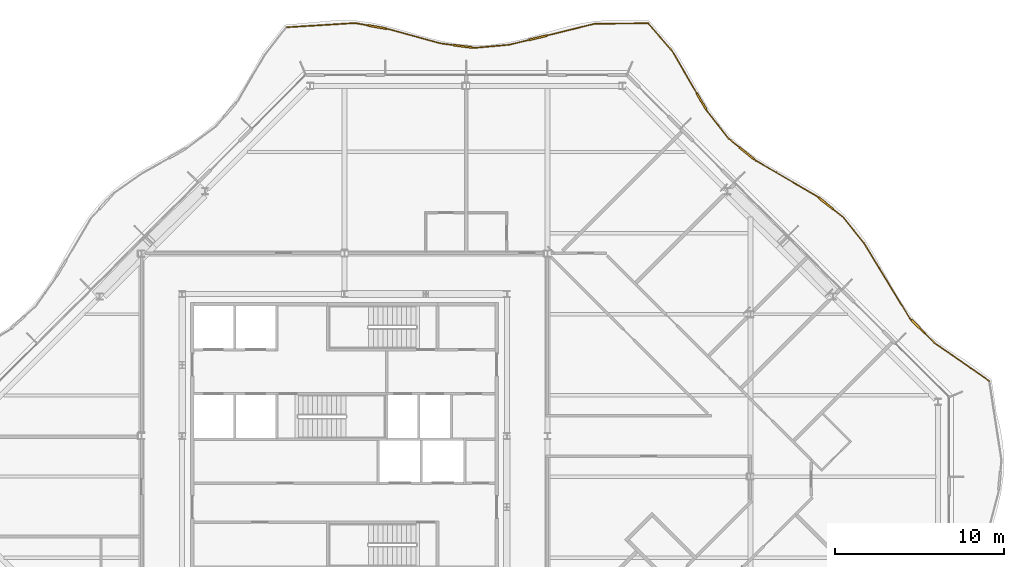
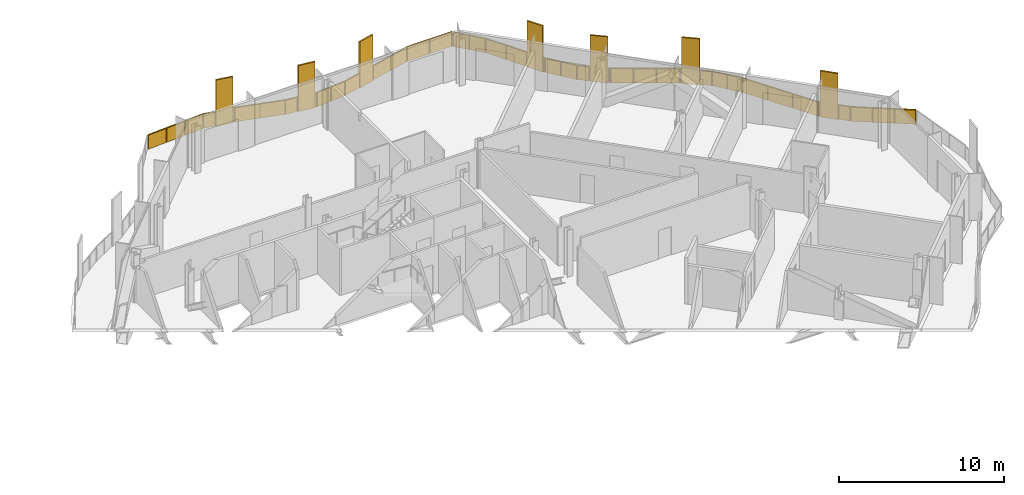
# One storey, part 17 of 17: 2 railings.
"""IFC4 building model written with IfcOpenShell, lengths in metres."""

from ifc_helpers import new_model, si_unit, direction, frame, origin, origin_2d, place, context, subcontext, project, spatial, polyline, rectangle, outline, extrude, material, type_object, element, save


model = new_model("IFC4")

# Units and contexts
model_context = context("Model", 3, precision=1e-05, world=origin(), true_north=direction((0.0, 1.0)))
body_context = subcontext(model_context, "Body", "Model", "MODEL_VIEW")
ifc_project = project(units=[si_unit("LENGTHUNIT", "METRE"), si_unit("AREAUNIT", "SQUARE_METRE"), si_unit("VOLUMEUNIT", "CUBIC_METRE"), si_unit("PLANEANGLEUNIT", "RADIAN"), si_unit("MASSUNIT", "GRAM", prefix="KILO")], contexts=[model_context])

# Site, building, storey
site_placement = place(None, origin())
site = spatial("IfcSite", under=ifc_project, at=site_placement, CompositionType="ELEMENT")
building_placement = place(site_placement, origin())
building = spatial("IfcBuilding", under=site, at=building_placement, Name="Cairn Pilgrim Tower", CompositionType="ELEMENT")
storey_placement = place(building_placement, frame((0.0, 0.0, 250.199951171875)))
storey = spatial("IfcBuildingStorey", under=building, at=storey_placement, Name="L64", CompositionType="ELEMENT", Elevation=250.199951171875)

# Railings
ifc_material = material(Name="Bronze anodised aluminium rail, posts and fin screens with laminated glass infill", Category="aluminium")
railing_type = type_object("IfcRailingType", Name="BALCONY GUARD WITH FIN SCREENS", PredefinedType="GUARDRAIL", material=ifc_material)
railing_1_placement = place(storey_placement, frame((45.325439453125, 5.6513671875, 0.0)))
element("IfcRailing", 1, at=railing_1_placement, inside=storey, type_object=railing_type, Name="Balcony guard BGF-3 with fin screens", PredefinedType="GUARDRAIL", context=body_context, shape_type="SweptSolid", body=[
    extrude(rectangle(XDim=0.050048828125, YDim=0.050048828125, at=origin_2d()), frame((0.0, 0.0, 1.0751953125), z_axis=(-0.820012054011, 0.572346251212, 0.0), x_axis=(-0.572346251212, -0.820012054011, 0.0)), (0.0, 0.0, 1.0), 3.9658203125),
    extrude(rectangle(XDim=1.10009765625, YDim=0.110107421875, at=origin_2d()), frame((-4.203857421875, 3.216552734375, 0.0), z_axis=(0.0, 0.0, 1.0), x_axis=(-0.709016579712, 0.705191810569, 0.0)), (0.0, 0.0, 1.0), 3.39990234375),
    extrude(rectangle(XDim=0.050048828125, YDim=0.050048828125, at=origin_2d()), frame((-3.251953125, 2.269775390625, 1.0751953125), z_axis=(-0.709016579712, 0.705191810569, 0.0), x_axis=(-0.705191810569, -0.709016579712, 0.0)), (0.0, 0.0, 1.0), 0.79248046875),
    extrude(rectangle(XDim=0.050048828125, YDim=0.050048828125, at=origin_2d()), frame((-4.59375, 3.604248046875, 1.0751953125), z_axis=(-0.709016579712, 0.705191810569, 0.0), x_axis=(-0.705191810569, -0.709016579712, 0.0)), (0.0, 0.0, 1.0), 0.150146484375),
    extrude(rectangle(XDim=0.050048828125, YDim=0.050048828125, at=origin_2d()), frame((-4.7001953125, 3.710205078125, 1.0751953125), z_axis=(-0.519273025874, 0.854608404241, 0.0), x_axis=(-0.854608404241, -0.519273025874, 0.0)), (0.0, 0.0, 1.0), 5.184326171875),
    extrude(rectangle(XDim=0.050048828125, YDim=0.050048828125, at=origin_2d()), frame((-7.392333984375, 8.140869140625, 1.0751953125), z_axis=(-0.626944244351, 0.779064127319, 0.0), x_axis=(-0.779064127319, -0.626944244351, 0.0)), (0.0, 0.0, 1.0), 1.99658203125),
    extrude(rectangle(XDim=1.10009765625, YDim=0.110107421875, at=origin_2d()), frame((-9.657470703125, 10.504638671875, 0.0), z_axis=(0.0, 0.0, 1.0), x_axis=(-0.781739062217, 0.62360567557, 0.0)), (0.0, 0.0, 1.0), 3.39990234375),
    extrude(rectangle(XDim=0.050048828125, YDim=0.050048828125, at=origin_2d()), frame((-8.64404296875, 9.6962890625, 1.0751953125), z_axis=(-0.781739062217, 0.62360567557, 0.0), x_axis=(-0.62360567557, -0.781739062217, 0.0)), (0.0, 0.0, 1.0), 0.746337890625),
    extrude(rectangle(XDim=0.050048828125, YDim=0.050048828125, at=origin_2d()), frame((-10.08740234375, 10.84765625, 1.0751953125), z_axis=(-0.781739062217, 0.62360567557, 0.0), x_axis=(-0.62360567557, -0.781739062217, 0.0)), (0.0, 0.0, 1.0), 0.14990234375),
    extrude(rectangle(XDim=0.050048828125, YDim=0.050048828125, at=origin_2d()), frame((-10.20458984375, 10.941162109375, 1.0751953125), z_axis=(-0.864562899529, 0.502524619056, 0.0), x_axis=(-0.502524619056, -0.864562899529, 0.0)), (0.0, 0.0, 1.0), 4.162109375),
    extrude(rectangle(XDim=1.10009765625, YDim=0.110107421875, at=origin_2d()), frame((-14.34619140625, 13.47412109375, 0.0), z_axis=(0.0, 0.0, 1.0), x_axis=(-0.776106715703, 0.630601590421, 0.0)), (0.0, 0.0, 1.0), 3.39990234375),
    extrude(rectangle(XDim=0.050048828125, YDim=0.050048828125, at=origin_2d()), frame((-13.802978515625, 13.03271484375, 1.0751953125), z_axis=(-0.776106715703, 0.630601590421, 0.0), x_axis=(-0.630601590421, -0.776106715703, 0.0)), (0.0, 0.0, 1.0), 0.14990234375),
    extrude(rectangle(XDim=0.050048828125, YDim=0.050048828125, at=origin_2d()), frame((-14.773193359375, 13.821044921875, 1.0751953125), z_axis=(-0.776106715703, 0.630601590421, 0.0), x_axis=(-0.630601590421, -0.776106715703, 0.0)), (0.0, 0.0, 1.0), 0.800537109375),
    extrude(rectangle(XDim=0.050048828125, YDim=0.050048828125, at=origin_2d()), frame((-15.394287109375, 14.32568359375, 1.0751953125), z_axis=(-0.619910394653, 0.784672608545, 0.0), x_axis=(-0.784672608545, -0.619910394653, 0.0)), (0.0, 0.0, 1.0), 2.05224609375),
    extrude(rectangle(XDim=1.10009765625, YDim=0.110107421875, at=origin_2d()), frame((-17.018310546875, 16.541015625, 0.0), z_axis=(0.0, 0.0, 1.0), x_axis=(-0.502651075486, 0.864489384731, 0.0)), (0.0, 0.0, 1.0), 3.39990234375),
    extrude(rectangle(XDim=0.050048828125, YDim=0.050048828125, at=origin_2d()), frame((-16.66650390625, 15.93603515625, 1.0751953125), z_axis=(-0.502651075486, 0.864489384731, 0.0), x_axis=(-0.864489384731, -0.502651075486, 0.0)), (0.0, 0.0, 1.0), 0.14990234375),
    extrude(rectangle(XDim=0.050048828125, YDim=0.050048828125, at=origin_2d()), frame((-17.294677734375, 17.0166015625, 1.0751953125), z_axis=(-0.502651075486, 0.864489384731, 0.0), x_axis=(-0.864489384731, -0.502651075486, 0.0)), (0.0, 0.0, 1.0), 2.90771484375),
    extrude(rectangle(XDim=0.050048828125, YDim=0.050048828125, at=origin_2d()), frame((-18.75634765625, 19.5302734375, 1.0751953125), z_axis=(-0.656874957585, 0.753999529242, 0.0), x_axis=(-0.753999529242, -0.656874957585, 0.0)), (0.0, 0.0, 1.0), 2.09130859375),
    extrude(rectangle(XDim=0.050048828125, YDim=0.050048828125, at=origin_2d()), origin(), (0.0, 0.0, 1.0), 1.050048828125),
    extrude(rectangle(XDim=0.050048828125, YDim=0.050048828125, at=origin_2d()), frame((-1.083984375, 0.756591796875, 0.0)), (0.0, 0.0, 1.0), 1.050048828125),
    extrude(rectangle(XDim=0.050048828125, YDim=0.050048828125, at=origin_2d()), frame((-2.16796875, 1.51318359375, 0.0)), (0.0, 0.0, 1.0), 1.050048828125),
    extrude(rectangle(XDim=0.050048828125, YDim=0.050048828125, at=origin_2d()), frame((-3.251953125, 2.269775390625, 0.0)), (0.0, 0.0, 1.0), 1.050048828125),
    extrude(rectangle(XDim=0.050048828125, YDim=0.050048828125, at=origin_2d()), frame((-3.796142578125, 2.81103515625, 0.0)), (0.0, 0.0, 1.0), 1.050048828125),
    extrude(rectangle(XDim=0.050048828125, YDim=0.050048828125, at=origin_2d()), frame((-4.611572265625, 3.6220703125, 0.0)), (0.0, 0.0, 1.0), 1.050048828125),
    extrude(rectangle(XDim=0.050048828125, YDim=0.050048828125, at=origin_2d()), frame((-4.7001953125, 3.710205078125, 0.0)), (0.0, 0.0, 1.0), 1.050048828125),
    extrude(rectangle(XDim=0.050048828125, YDim=0.050048828125, at=origin_2d()), frame((-5.59765625, 5.18701171875, 0.0)), (0.0, 0.0, 1.0), 1.050048828125),
    extrude(rectangle(XDim=0.050048828125, YDim=0.050048828125, at=origin_2d()), frame((-6.494873046875, 6.6640625, 0.0)), (0.0, 0.0, 1.0), 1.050048828125),
    extrude(rectangle(XDim=0.050048828125, YDim=0.050048828125, at=origin_2d()), frame((-7.392333984375, 8.140869140625, 0.0)), (0.0, 0.0, 1.0), 1.050048828125),
    extrude(rectangle(XDim=0.050048828125, YDim=0.050048828125, at=origin_2d()), frame((-8.01806640625, 8.91845703125, 0.0)), (0.0, 0.0, 1.0), 1.050048828125),
    extrude(rectangle(XDim=0.050048828125, YDim=0.050048828125, at=origin_2d()), frame((-8.64404296875, 9.6962890625, 0.0)), (0.0, 0.0, 1.0), 1.050048828125),
    extrude(rectangle(XDim=0.050048828125, YDim=0.050048828125, at=origin_2d()), frame((-9.2080078125, 10.14599609375, 0.0)), (0.0, 0.0, 1.0), 1.050048828125),
    extrude(rectangle(XDim=0.050048828125, YDim=0.050048828125, at=origin_2d()), frame((-10.10693359375, 10.86328125, 0.0)), (0.0, 0.0, 1.0), 1.050048828125),
    extrude(rectangle(XDim=0.050048828125, YDim=0.050048828125, at=origin_2d()), frame((-10.20458984375, 10.941162109375, 0.0)), (0.0, 0.0, 1.0), 1.050048828125),
    extrude(rectangle(XDim=0.050048828125, YDim=0.050048828125, at=origin_2d()), frame((-11.404052734375, 11.638427734375, 0.0)), (0.0, 0.0, 1.0), 1.050048828125),
    extrude(rectangle(XDim=0.050048828125, YDim=0.050048828125, at=origin_2d()), frame((-12.603515625, 12.33544921875, 0.0)), (0.0, 0.0, 1.0), 1.050048828125),
    extrude(rectangle(XDim=0.050048828125, YDim=0.050048828125, at=origin_2d()), frame((-13.802978515625, 13.03271484375, 0.0)), (0.0, 0.0, 1.0), 1.050048828125),
    extrude(rectangle(XDim=0.050048828125, YDim=0.050048828125, at=origin_2d()), frame((-13.89990234375, 13.111572265625, 0.0)), (0.0, 0.0, 1.0), 1.050048828125),
    extrude(rectangle(XDim=0.050048828125, YDim=0.050048828125, at=origin_2d()), frame((-14.79248046875, 13.836669921875, 0.0)), (0.0, 0.0, 1.0), 1.050048828125),
    extrude(rectangle(XDim=0.050048828125, YDim=0.050048828125, at=origin_2d()), frame((-15.394287109375, 14.32568359375, 0.0)), (0.0, 0.0, 1.0), 1.050048828125),
    extrude(rectangle(XDim=0.050048828125, YDim=0.050048828125, at=origin_2d()), frame((-16.0302734375, 15.130859375, 0.0)), (0.0, 0.0, 1.0), 1.050048828125),
    extrude(rectangle(XDim=0.050048828125, YDim=0.050048828125, at=origin_2d()), frame((-16.66650390625, 15.93603515625, 0.0)), (0.0, 0.0, 1.0), 1.050048828125),
    extrude(rectangle(XDim=0.050048828125, YDim=0.050048828125, at=origin_2d()), frame((-16.729248046875, 16.0439453125, 0.0)), (0.0, 0.0, 1.0), 1.050048828125),
    extrude(rectangle(XDim=0.050048828125, YDim=0.050048828125, at=origin_2d()), frame((-17.307373046875, 17.038330078125, 0.0)), (0.0, 0.0, 1.0), 1.050048828125),
    extrude(rectangle(XDim=0.050048828125, YDim=0.050048828125, at=origin_2d()), frame((-18.03173828125, 18.2841796875, 0.0)), (0.0, 0.0, 1.0), 1.050048828125),
    extrude(rectangle(XDim=0.050048828125, YDim=0.050048828125, at=origin_2d()), frame((-18.75634765625, 19.5302734375, 0.0)), (0.0, 0.0, 1.0), 1.050048828125),
    extrude(rectangle(XDim=0.050048828125, YDim=0.050048828125, at=origin_2d()), frame((-19.443359375, 20.31884765625, 0.0)), (0.0, 0.0, 1.0), 1.050048828125),
    extrude(rectangle(XDim=0.050048828125, YDim=0.050048828125, at=origin_2d()), frame((-20.130126953125, 21.107177734375, 0.0)), (0.0, 0.0, 1.0), 1.050048828125),
    extrude(outline(polyline([(0.02490234375, 0.0), (1.296875, 0.0), (1.296875, 1.050048828125), (0.02490234375, 1.050048828125), (0.02490234375, 0.0)])), frame((-0.00341796875, -0.0048828125, 0.0), z_axis=(0.572346251212, 0.820012054011, 0.0), x_axis=(-0.820012054011, 0.572346251212, 0.0)), (0.0, 0.0, 1.0), 0.011962890625),
    extrude(outline(polyline([(0.02490234375, 0.0), (1.296875, 0.0), (1.296875, 1.050048828125), (0.02490234375, 1.050048828125), (0.02490234375, 0.0)])), frame((-1.08740234375, 0.751708984375, 0.0), z_axis=(0.572346251212, 0.820012054011, 0.0), x_axis=(-0.820012054011, 0.572346251212, 0.0)), (0.0, 0.0, 1.0), 0.011962890625),
    extrude(outline(polyline([(0.02490234375, 0.0), (1.296875, 0.0), (1.296875, 1.050048828125), (0.02490234375, 1.050048828125), (0.02490234375, 0.0)])), frame((-2.17138671875, 1.50830078125, 0.0), z_axis=(0.572346251212, 0.820012054011, 0.0), x_axis=(-0.820012054011, 0.572346251212, 0.0)), (0.0, 0.0, 1.0), 0.011962890625),
    extrude(outline(polyline([(0.02490234375, 0.0), (0.742431640625, 0.0), (0.742431640625, 1.050048828125), (0.02490234375, 1.050048828125), (0.02490234375, 0.0)])), frame((-3.256103515625, 2.265625, 0.0), z_axis=(0.705191810569, 0.709016579712, 0.0), x_axis=(-0.709016579712, 0.705191810569, 0.0)), (0.0, 0.0, 1.0), 0.011962890625),
    extrude(outline(polyline([(0.02490234375, 0.0), (0.10009765625, 0.0), (0.10009765625, 1.050048828125), (0.02490234375, 1.050048828125), (0.02490234375, 0.0)])), frame((-4.61572265625, 3.61767578125, 0.0), z_axis=(0.705191810569, 0.709016579712, 0.0), x_axis=(-0.709016579712, 0.705191810569, 0.0)), (0.0, 0.0, 1.0), 0.011962890625),
    extrude(outline(polyline([(0.02490234375, 0.0), (1.703125, 0.0), (1.703125, 1.050048828125), (0.02490234375, 1.050048828125), (0.02490234375, 0.0)])), frame((-4.705322265625, 3.70703125, 0.0), z_axis=(0.854608404241, 0.519273025874, 0.0), x_axis=(-0.519273025874, 0.854608404241, 0.0)), (0.0, 0.0, 1.0), 0.011962890625),
    extrude(outline(polyline([(0.02490234375, 0.0), (1.703125, 0.0), (1.703125, 1.050048828125), (0.02490234375, 1.050048828125), (0.02490234375, 0.0)])), frame((-5.602783203125, 5.18408203125, 0.0), z_axis=(0.854608404241, 0.519273025874, 0.0), x_axis=(-0.519273025874, 0.854608404241, 0.0)), (0.0, 0.0, 1.0), 0.011962890625),
    extrude(outline(polyline([(0.02490234375, 0.0), (1.703125, 0.0), (1.703125, 1.050048828125), (0.02490234375, 1.050048828125), (0.02490234375, 0.0)])), frame((-6.5, 6.660888671875, 0.0), z_axis=(0.854608404241, 0.519273025874, 0.0), x_axis=(-0.519273025874, 0.854608404241, 0.0)), (0.0, 0.0, 1.0), 0.011962890625),
    extrude(outline(polyline([(0.02490234375, 0.0), (0.97314453125, 0.0), (0.97314453125, 1.050048828125), (0.02490234375, 1.050048828125), (0.02490234375, 0.0)])), frame((-7.39697265625, 8.13720703125, 0.0), z_axis=(0.779064127319, 0.626944244351, 0.0), x_axis=(-0.626944244351, 0.779064127319, 0.0)), (0.0, 0.0, 1.0), 0.011962890625),
    extrude(outline(polyline([(0.02490234375, 0.0), (0.97314453125, 0.0), (0.97314453125, 1.050048828125), (0.02490234375, 1.050048828125), (0.02490234375, 0.0)])), frame((-8.02294921875, 8.914794921875, 0.0), z_axis=(0.779064127319, 0.626944244351, 0.0), x_axis=(-0.626944244351, 0.779064127319, 0.0)), (0.0, 0.0, 1.0), 0.011962890625),
    extrude(outline(polyline([(0.02490234375, 0.0), (0.6962890625, 0.0), (0.6962890625, 1.050048828125), (0.02490234375, 1.050048828125), (0.02490234375, 0.0)])), frame((-8.647705078125, 9.691650390625, 0.0), z_axis=(0.62360567557, 0.781739062217, 0.0), x_axis=(-0.781739062217, 0.62360567557, 0.0)), (0.0, 0.0, 1.0), 0.011962890625),
    extrude(outline(polyline([(0.02490234375, 0.0), (0.099853515625, 0.0), (0.099853515625, 1.050048828125), (0.02490234375, 1.050048828125), (0.02490234375, 0.0)])), frame((-10.110595703125, 10.858642578125, 0.0), z_axis=(0.62360567557, 0.781739062217, 0.0), x_axis=(-0.781739062217, 0.62360567557, 0.0)), (0.0, 0.0, 1.0), 0.011962890625),
    extrude(outline(polyline([(0.02490234375, 0.0), (1.3623046875, 0.0), (1.3623046875, 1.050048828125), (0.02490234375, 1.050048828125), (0.02490234375, 0.0)])), frame((-10.20751953125, 10.93603515625, 0.0), z_axis=(0.502524619056, 0.864562899529, 0.0), x_axis=(-0.864562899529, 0.502524619056, 0.0)), (0.0, 0.0, 1.0), 0.011962890625),
    extrude(outline(polyline([(0.02490234375, 0.0), (1.3623046875, 0.0), (1.3623046875, 1.050048828125), (0.02490234375, 1.050048828125), (0.02490234375, 0.0)])), frame((-11.406982421875, 11.633056640625, 0.0), z_axis=(0.502524619056, 0.864562899529, 0.0), x_axis=(-0.864562899529, 0.502524619056, 0.0)), (0.0, 0.0, 1.0), 0.011962890625),
    extrude(outline(polyline([(0.02490234375, 0.0), (1.3623046875, 0.0), (1.3623046875, 1.050048828125), (0.02490234375, 1.050048828125), (0.02490234375, 0.0)])), frame((-12.6064453125, 12.330322265625, 0.0), z_axis=(0.502524619056, 0.864562899529, 0.0), x_axis=(-0.864562899529, 0.502524619056, 0.0)), (0.0, 0.0, 1.0), 0.011962890625),
    extrude(outline(polyline([(0.02490234375, 0.0), (0.099853515625, 0.0), (0.099853515625, 1.050048828125), (0.02490234375, 1.050048828125), (0.02490234375, 0.0)])), frame((-13.806640625, 13.028076171875, 0.0), z_axis=(0.630601590421, 0.776106715703, 0.0), x_axis=(-0.776106715703, 0.630601590421, 0.0)), (0.0, 0.0, 1.0), 0.011962890625),
    extrude(outline(polyline([(0.02490234375, 0.0), (0.75048828125, 0.0), (0.75048828125, 1.050048828125), (0.02490234375, 1.050048828125), (0.02490234375, 0.0)])), frame((-14.79638671875, 13.83203125, 0.0), z_axis=(0.630601590421, 0.776106715703, 0.0), x_axis=(-0.776106715703, 0.630601590421, 0.0)), (0.0, 0.0, 1.0), 0.011962890625),
    extrude(outline(polyline([(0.02490234375, 0.0), (1.001220703125, 0.0), (1.001220703125, 1.050048828125), (0.02490234375, 1.050048828125), (0.02490234375, 0.0)])), frame((-15.39892578125, 14.322021484375, 0.0), z_axis=(0.784672608545, 0.619910394653, 0.0), x_axis=(-0.619910394653, 0.784672608545, 0.0)), (0.0, 0.0, 1.0), 0.011962890625),
    extrude(outline(polyline([(0.02490234375, 0.0), (1.001220703125, 0.0), (1.001220703125, 1.050048828125), (0.02490234375, 1.050048828125), (0.02490234375, 0.0)])), frame((-16.03515625, 15.127197265625, 0.0), z_axis=(0.784672608545, 0.619910394653, 0.0), x_axis=(-0.619910394653, 0.784672608545, 0.0)), (0.0, 0.0, 1.0), 0.011962890625),
    extrude(outline(polyline([(0.02490234375, 0.0), (0.099853515625, 0.0), (0.099853515625, 1.050048828125), (0.02490234375, 1.050048828125), (0.02490234375, 0.0)])), frame((-16.671630859375, 15.93310546875, 0.0), z_axis=(0.864489384731, 0.502651075486, 0.0), x_axis=(-0.502651075486, 0.864489384731, 0.0)), (0.0, 0.0, 1.0), 0.011962890625),
    extrude(outline(polyline([(0.02490234375, 0.0), (1.416259765625, 0.0), (1.416259765625, 1.050048828125), (0.02490234375, 1.050048828125), (0.02490234375, 0.0)])), frame((-17.3125, 17.03515625, 0.0), z_axis=(0.864489384731, 0.502651075486, 0.0), x_axis=(-0.502651075486, 0.864489384731, 0.0)), (0.0, 0.0, 1.0), 0.011962890625),
    extrude(outline(polyline([(0.02490234375, 0.0), (1.416259765625, 0.0), (1.416259765625, 1.050048828125), (0.02490234375, 1.050048828125), (0.02490234375, 0.0)])), frame((-18.037109375, 18.28125, 0.0), z_axis=(0.864489384731, 0.502651075486, 0.0), x_axis=(-0.502651075486, 0.864489384731, 0.0)), (0.0, 0.0, 1.0), 0.011962890625),
    extrude(outline(polyline([(0.02490234375, 0.0), (1.020751953125, 0.0), (1.020751953125, 1.050048828125), (0.02490234375, 1.050048828125), (0.02490234375, 0.0)])), frame((-18.7607421875, 19.5263671875, 0.0), z_axis=(0.753999529242, 0.656874957585, 0.0), x_axis=(-0.656874957585, 0.753999529242, 0.0)), (0.0, 0.0, 1.0), 0.011962890625),
    extrude(outline(polyline([(0.02490234375, 0.0), (1.020751953125, 0.0), (1.020751953125, 1.050048828125), (0.02490234375, 1.050048828125), (0.02490234375, 0.0)])), frame((-19.44775390625, 20.314697265625, 0.0), z_axis=(0.753999529242, 0.656874957585, 0.0), x_axis=(-0.656874957585, 0.753999529242, 0.0)), (0.0, 0.0, 1.0), 0.011962890625),
])
railing_2_placement = place(storey_placement, frame((25.156005859375, 26.8037109375, 0.0)))
element("IfcRailing", 2, at=railing_2_placement, inside=storey, type_object=railing_type, Name="Balcony guard BGF-4 with fin screens", PredefinedType="GUARDRAIL", context=body_context, shape_type="SweptSolid", body=[
    extrude(rectangle(XDim=0.050048828125, YDim=0.050048828125, at=origin_2d()), frame((0.0, 0.0, 1.0751953125), z_axis=(-0.999966429342, -0.008193911681, 0.0), x_axis=(0.008193911681, -0.999966429342, 0.0)), (0.0, 0.0, 1.0), 3.158203125),
    extrude(rectangle(XDim=1.10009765625, YDim=0.110107421875, at=origin_2d()), frame((-6.4990234375, -0.848388671875, 0.0), z_axis=(0.0, 0.0, 1.0), x_axis=(-0.970995755042, -0.23909672455, 0.0)), (0.0, 0.0, 1.0), 3.39990234375),
    extrude(rectangle(XDim=0.050048828125, YDim=0.050048828125, at=origin_2d()), frame((-3.158203125, -0.02587890625, 1.0751953125), z_axis=(-0.970995755042, -0.23909672455, 0.0), x_axis=(0.23909672455, -0.970995755042, 0.0)), (0.0, 0.0, 1.0), 2.890380859375),
    extrude(rectangle(XDim=0.050048828125, YDim=0.050048828125, at=origin_2d()), frame((-7.032958984375, -0.97998046875, 1.0751953125), z_axis=(-0.970995755042, -0.23909672455, 0.0), x_axis=(0.23909672455, -0.970995755042, 0.0)), (0.0, 0.0, 1.0), 1.206787109375),
    extrude(rectangle(XDim=0.050048828125, YDim=0.050048828125, at=origin_2d()), frame((-8.204833984375, -1.2685546875, 1.0751953125), z_axis=(-0.996010063706, -0.089240982713, 0.0), x_axis=(0.089240982713, -0.996010063706, 0.0)), (0.0, 0.0, 1.0), 2.057373046875),
    extrude(rectangle(XDim=1.10009765625, YDim=0.110107421875, at=origin_2d()), frame((-10.94775390625, -1.361083984375, 0.0), z_axis=(0.0, 0.0, 1.0), x_axis=(-0.99149528396, 0.130142621321, 0.0)), (0.0, 0.0, 1.0), 3.39990234375),
    extrude(rectangle(XDim=0.050048828125, YDim=0.050048828125, at=origin_2d()), frame((-10.25390625, -1.4521484375, 1.0751953125), z_axis=(-0.99149528396, 0.130142621321, 0.0), x_axis=(-0.130142621321, -0.99149528396, 0.0)), (0.0, 0.0, 1.0), 0.14990234375),
    extrude(rectangle(XDim=0.050048828125, YDim=0.050048828125, at=origin_2d()), frame((-11.4931640625, -1.28955078125, 1.0751953125), z_axis=(-0.99149528396, 0.130142621321, 0.0), x_axis=(-0.130142621321, -0.99149528396, 0.0)), (0.0, 0.0, 1.0), 0.815673828125),
    extrude(rectangle(XDim=0.050048828125, YDim=0.050048828125, at=origin_2d()), frame((-12.3017578125, -1.183349609375, 1.0751953125), z_axis=(-0.963957650516, 0.266055723507, 0.0), x_axis=(-0.266055723507, -0.963957650516, 0.0)), (0.0, 0.0, 1.0), 3.1484375),
    extrude(rectangle(XDim=1.10009765625, YDim=0.110107421875, at=origin_2d()), frame((-16.025390625, -0.22119140625, 0.0), z_axis=(0.0, 0.0, 1.0), x_axis=(-0.984058040141, 0.177847613515, 0.0)), (0.0, 0.0, 1.0), 3.39990234375),
    extrude(rectangle(XDim=0.050048828125, YDim=0.050048828125, at=origin_2d()), frame((-15.336669921875, -0.345703125, 1.0751953125), z_axis=(-0.984058040141, 0.177847613515, 0.0), x_axis=(-0.177847613515, -0.984058040141, 0.0)), (0.0, 0.0, 1.0), 0.14990234375),
    extrude(rectangle(XDim=0.050048828125, YDim=0.050048828125, at=origin_2d()), frame((-16.566650390625, -0.123291015625, 1.0751953125), z_axis=(-0.984058040141, 0.177847613515, 0.0), x_axis=(-0.177847613515, -0.984058040141, 0.0)), (0.0, 0.0, 1.0), 0.779052734375),
    extrude(rectangle(XDim=0.050048828125, YDim=0.050048828125, at=origin_2d()), frame((-17.333251953125, 0.01513671875, 1.0751953125), z_axis=(-0.998096075786, -0.061678387636, 0.0), x_axis=(0.061678387636, -0.998096075786, 0.0)), (0.0, 0.0, 1.0), 4.017578125),
    extrude(rectangle(XDim=0.050048828125, YDim=0.050048828125, at=origin_2d()), origin(), (0.0, 0.0, 1.0), 1.050048828125),
    extrude(rectangle(XDim=0.050048828125, YDim=0.050048828125, at=origin_2d()), frame((-1.5791015625, -0.012939453125, 0.0)), (0.0, 0.0, 1.0), 1.050048828125),
    extrude(rectangle(XDim=0.050048828125, YDim=0.050048828125, at=origin_2d()), frame((-3.158203125, -0.02587890625, 0.0)), (0.0, 0.0, 1.0), 1.050048828125),
    extrude(rectangle(XDim=0.050048828125, YDim=0.050048828125, at=origin_2d()), frame((-4.54931640625, -0.368408203125, 0.0)), (0.0, 0.0, 1.0), 1.050048828125),
    extrude(rectangle(XDim=0.050048828125, YDim=0.050048828125, at=origin_2d()), frame((-5.940673828125, -0.7109375, 0.0)), (0.0, 0.0, 1.0), 1.050048828125),
    extrude(rectangle(XDim=0.050048828125, YDim=0.050048828125, at=origin_2d()), frame((-7.057373046875, -0.986083984375, 0.0)), (0.0, 0.0, 1.0), 1.050048828125),
    extrude(rectangle(XDim=0.050048828125, YDim=0.050048828125, at=origin_2d()), frame((-8.204833984375, -1.2685546875, 0.0)), (0.0, 0.0, 1.0), 1.050048828125),
    extrude(rectangle(XDim=0.050048828125, YDim=0.050048828125, at=origin_2d()), frame((-9.2294921875, -1.3603515625, 0.0)), (0.0, 0.0, 1.0), 1.050048828125),
    extrude(rectangle(XDim=0.050048828125, YDim=0.050048828125, at=origin_2d()), frame((-10.25390625, -1.4521484375, 0.0)), (0.0, 0.0, 1.0), 1.050048828125),
    extrude(rectangle(XDim=0.050048828125, YDim=0.050048828125, at=origin_2d()), frame((-10.377685546875, -1.435791015625, 0.0)), (0.0, 0.0, 1.0), 1.050048828125),
    extrude(rectangle(XDim=0.050048828125, YDim=0.050048828125, at=origin_2d()), frame((-11.517822265625, -1.2861328125, 0.0)), (0.0, 0.0, 1.0), 1.050048828125),
    extrude(rectangle(XDim=0.050048828125, YDim=0.050048828125, at=origin_2d()), frame((-12.3017578125, -1.183349609375, 0.0)), (0.0, 0.0, 1.0), 1.050048828125),
    extrude(rectangle(XDim=0.050048828125, YDim=0.050048828125, at=origin_2d()), frame((-13.8193359375, -0.7646484375, 0.0)), (0.0, 0.0, 1.0), 1.050048828125),
    extrude(rectangle(XDim=0.050048828125, YDim=0.050048828125, at=origin_2d()), frame((-15.336669921875, -0.345703125, 0.0)), (0.0, 0.0, 1.0), 1.050048828125),
    extrude(rectangle(XDim=0.050048828125, YDim=0.050048828125, at=origin_2d()), frame((-15.45947265625, -0.323486328125, 0.0)), (0.0, 0.0, 1.0), 1.050048828125),
    extrude(rectangle(XDim=0.050048828125, YDim=0.050048828125, at=origin_2d()), frame((-16.59130859375, -0.118896484375, 0.0)), (0.0, 0.0, 1.0), 1.050048828125),
    extrude(rectangle(XDim=0.050048828125, YDim=0.050048828125, at=origin_2d()), frame((-17.333251953125, 0.01513671875, 0.0)), (0.0, 0.0, 1.0), 1.050048828125),
    extrude(rectangle(XDim=0.050048828125, YDim=0.050048828125, at=origin_2d()), frame((-18.669921875, -0.0673828125, 0.0)), (0.0, 0.0, 1.0), 1.050048828125),
    extrude(rectangle(XDim=0.050048828125, YDim=0.050048828125, at=origin_2d()), frame((-20.006591796875, -0.150146484375, 0.0)), (0.0, 0.0, 1.0), 1.050048828125),
    extrude(rectangle(XDim=0.050048828125, YDim=0.050048828125, at=origin_2d()), frame((-21.34326171875, -0.232666015625, 0.0)), (0.0, 0.0, 1.0), 1.050048828125),
    extrude(outline(polyline([(0.02490234375, 0.0), (1.55419921875, 0.0), (1.55419921875, 1.050048828125), (0.02490234375, 1.050048828125), (0.02490234375, 0.0)])), frame((0.0, -0.005859375, 0.0), z_axis=(-0.008193911681, 0.999966429342, 0.0), x_axis=(-0.999966429342, -0.008193911681, 0.0)), (0.0, 0.0, 1.0), 0.011962890625),
    extrude(outline(polyline([(0.02490234375, 0.0), (1.55419921875, 0.0), (1.55419921875, 1.050048828125), (0.02490234375, 1.050048828125), (0.02490234375, 0.0)])), frame((-1.5791015625, -0.018798828125, 0.0), z_axis=(-0.008193911681, 0.999966429342, 0.0), x_axis=(-0.999966429342, -0.008193911681, 0.0)), (0.0, 0.0, 1.0), 0.011962890625),
    extrude(outline(polyline([(0.02490234375, 0.0), (1.40771484375, 0.0), (1.40771484375, 1.050048828125), (0.02490234375, 1.050048828125), (0.02490234375, 0.0)])), frame((-3.15673828125, -0.03173828125, 0.0), z_axis=(-0.23909672455, 0.970995755042, 0.0), x_axis=(-0.970995755042, -0.23909672455, 0.0)), (0.0, 0.0, 1.0), 0.011962890625),
    extrude(outline(polyline([(0.02490234375, 0.0), (1.40771484375, 0.0), (1.40771484375, 1.050048828125), (0.02490234375, 1.050048828125), (0.02490234375, 0.0)])), frame((-4.5478515625, -0.374267578125, 0.0), z_axis=(-0.23909672455, 0.970995755042, 0.0), x_axis=(-0.970995755042, -0.23909672455, 0.0)), (0.0, 0.0, 1.0), 0.011962890625),
    extrude(outline(polyline([(0.02490234375, 0.0), (1.15673828125, 0.0), (1.15673828125, 1.050048828125), (0.02490234375, 1.050048828125), (0.02490234375, 0.0)])), frame((-7.055908203125, -0.99169921875, 0.0), z_axis=(-0.23909672455, 0.970995755042, 0.0), x_axis=(-0.970995755042, -0.23909672455, 0.0)), (0.0, 0.0, 1.0), 0.011962890625),
    extrude(outline(polyline([(0.02490234375, 0.0), (1.003662109375, 0.0), (1.003662109375, 1.050048828125), (0.02490234375, 1.050048828125), (0.02490234375, 0.0)])), frame((-8.204345703125, -1.2744140625, 0.0), z_axis=(-0.089240982713, 0.996010063706, 0.0), x_axis=(-0.996010063706, -0.089240982713, 0.0)), (0.0, 0.0, 1.0), 0.011962890625),
    extrude(outline(polyline([(0.02490234375, 0.0), (1.003662109375, 0.0), (1.003662109375, 1.050048828125), (0.02490234375, 1.050048828125), (0.02490234375, 0.0)])), frame((-9.228759765625, -1.3662109375, 0.0), z_axis=(-0.089240982713, 0.996010063706, 0.0), x_axis=(-0.996010063706, -0.089240982713, 0.0)), (0.0, 0.0, 1.0), 0.011962890625),
    extrude(outline(polyline([(0.02490234375, 0.0), (0.099853515625, 0.0), (0.099853515625, 1.050048828125), (0.02490234375, 1.050048828125), (0.02490234375, 0.0)])), frame((-10.254638671875, -1.4580078125, 0.0), z_axis=(0.130142621321, 0.99149528396, 0.0), x_axis=(-0.99149528396, 0.130142621321, 0.0)), (0.0, 0.0, 1.0), 0.011962890625),
    extrude(outline(polyline([(0.02490234375, 0.0), (0.765625, 0.0), (0.765625, 1.050048828125), (0.02490234375, 1.050048828125), (0.02490234375, 0.0)])), frame((-11.518798828125, -1.292236328125, 0.0), z_axis=(0.130142621321, 0.99149528396, 0.0), x_axis=(-0.99149528396, 0.130142621321, 0.0)), (0.0, 0.0, 1.0), 0.011962890625),
    extrude(outline(polyline([(0.02490234375, 0.0), (1.549072265625, 0.0), (1.549072265625, 1.050048828125), (0.02490234375, 1.050048828125), (0.02490234375, 0.0)])), frame((-12.303466796875, -1.189208984375, 0.0), z_axis=(0.266055723507, 0.963957650516, 0.0), x_axis=(-0.963957650516, 0.266055723507, 0.0)), (0.0, 0.0, 1.0), 0.011962890625),
    extrude(outline(polyline([(0.02490234375, 0.0), (1.549072265625, 0.0), (1.549072265625, 1.050048828125), (0.02490234375, 1.050048828125), (0.02490234375, 0.0)])), frame((-13.82080078125, -0.770263671875, 0.0), z_axis=(0.266055723507, 0.963957650516, 0.0), x_axis=(-0.963957650516, 0.266055723507, 0.0)), (0.0, 0.0, 1.0), 0.011962890625),
    extrude(outline(polyline([(0.02490234375, 0.0), (0.099853515625, 0.0), (0.099853515625, 1.050048828125), (0.02490234375, 1.050048828125), (0.02490234375, 0.0)])), frame((-15.337646484375, -0.3515625, 0.0), z_axis=(0.177847613515, 0.984058040141, 0.0), x_axis=(-0.984058040141, 0.177847613515, 0.0)), (0.0, 0.0, 1.0), 0.011962890625),
    extrude(outline(polyline([(0.02490234375, 0.0), (0.72900390625, 0.0), (0.72900390625, 1.050048828125), (0.02490234375, 1.050048828125), (0.02490234375, 0.0)])), frame((-16.59228515625, -0.124755859375, 0.0), z_axis=(0.177847613515, 0.984058040141, 0.0), x_axis=(-0.984058040141, 0.177847613515, 0.0)), (0.0, 0.0, 1.0), 0.011962890625),
    extrude(outline(polyline([(0.02490234375, 0.0), (1.314208984375, 0.0), (1.314208984375, 1.050048828125), (0.02490234375, 1.050048828125), (0.02490234375, 0.0)])), frame((-17.332763671875, 0.00927734375, 0.0), z_axis=(-0.061678387636, 0.998096075786, 0.0), x_axis=(-0.998096075786, -0.061678387636, 0.0)), (0.0, 0.0, 1.0), 0.011962890625),
    extrude(outline(polyline([(0.02490234375, 0.0), (1.314208984375, 0.0), (1.314208984375, 1.050048828125), (0.02490234375, 1.050048828125), (0.02490234375, 0.0)])), frame((-18.66943359375, -0.073486328125, 0.0), z_axis=(-0.061678387636, 0.998096075786, 0.0), x_axis=(-0.998096075786, -0.061678387636, 0.0)), (0.0, 0.0, 1.0), 0.011962890625),
    extrude(outline(polyline([(0.02490234375, 0.0), (1.314208984375, 0.0), (1.314208984375, 1.050048828125), (0.02490234375, 1.050048828125), (0.02490234375, 0.0)])), frame((-20.006103515625, -0.156005859375, 0.0), z_axis=(-0.061678387636, 0.998096075786, 0.0), x_axis=(-0.998096075786, -0.061678387636, 0.0)), (0.0, 0.0, 1.0), 0.011962890625),
])

save(model, "model.ifc")
